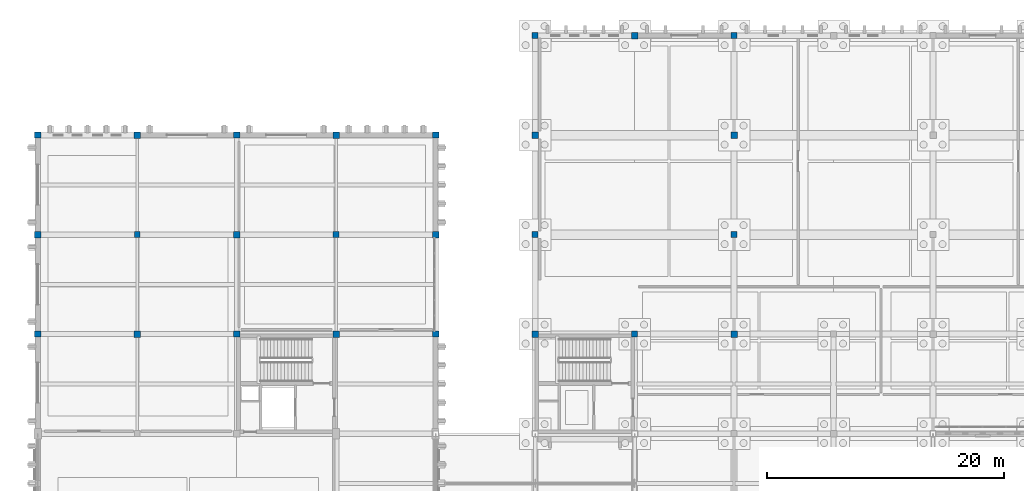
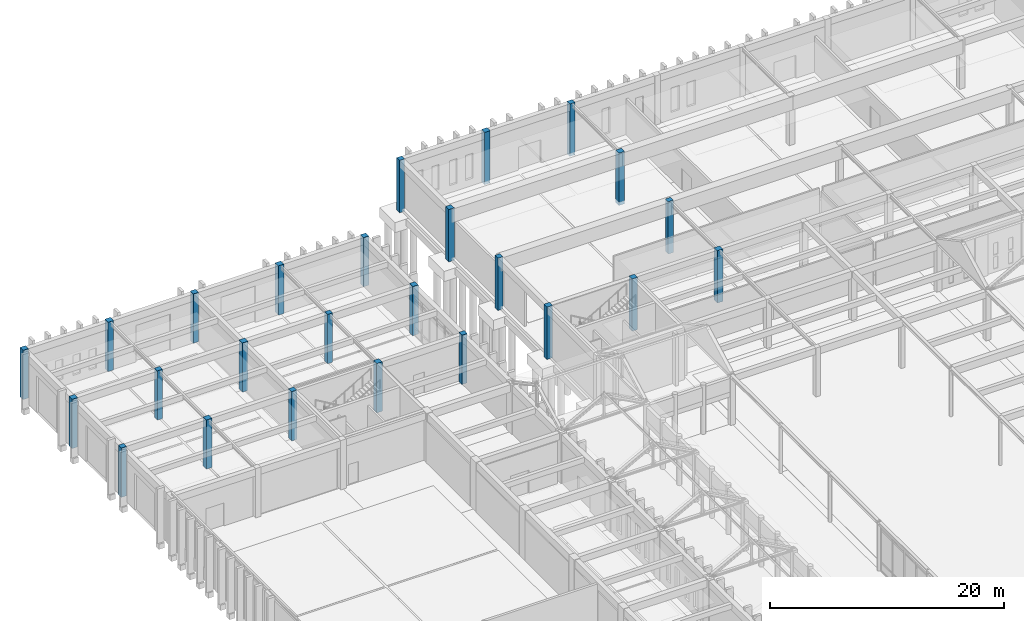
# One storey, part 17 of 143: 25 columns.
"""IFC4 building model written with IfcOpenShell, lengths in metres."""

from ifc_helpers import new_model, si_unit, direction, frame, origin, origin_2d, place, context, subcontext, project, spatial, rectangle, extrude, material, material_profile, profile_set, type_object, element, save


model = new_model("IFC4")

# Units and contexts
model_context = context("Model", 3, precision=1e-05, world=origin(), true_north=direction((0.0, 1.0)))
body_context = subcontext(model_context, "Body", "Model", "MODEL_VIEW")
ifc_project = project(units=[si_unit("LENGTHUNIT", "METRE"), si_unit("AREAUNIT", "SQUARE_METRE"), si_unit("VOLUMEUNIT", "CUBIC_METRE"), si_unit("PLANEANGLEUNIT", "RADIAN"), si_unit("MASSUNIT", "GRAM", prefix="KILO")], contexts=[model_context])

# Site, building, storey
site_placement = place(None, origin())
site = spatial("IfcSite", under=ifc_project, at=site_placement, CompositionType="ELEMENT")
building_placement = place(site_placement, origin())
building = spatial("IfcBuilding", under=site, at=building_placement, Name="Kveldsbrygga Polytechnic", CompositionType="ELEMENT")
storey_placement = place(building_placement, origin())
storey = spatial("IfcBuildingStorey", under=building, at=storey_placement, Name="L00", CompositionType="ELEMENT", Elevation=0.0)

# Columns
ifc_material = material(Name="Concrete C45/55", Category="concrete")
ifc_material_profile_1 = material_profile(ifc_material, rectangle(XDim=0.5, YDim=0.5, at=origin_2d()), Name="RC 500x500")
ifc_profile_set_1 = profile_set([ifc_material_profile_1], Name="Concrete C45/55")
column_type_1 = type_object("IfcColumnType", Name="COL-RC-500", PredefinedType="COLUMN", material=ifc_profile_set_1)
for number, where, z_axis, x_axis, name in (
    (1, (8.39990234375, 100.800048828125, 0.0), (0.0, 0.0, 1.0), (1.0, 0.0, 0.0), "Column COL-L00-01-12"),
    (2, (25.199951171875, 100.800048828125, 0.0), (0.0, 0.0, 1.0), (1.0, 0.0, 0.0), "Column COL-L00-03-12"),
):
    element("IfcColumn", number, at=place(storey_placement, frame(where, z_axis=z_axis, x_axis=x_axis)), inside=storey, type_object=column_type_1, Name=name, PredefinedType="COLUMN", context=body_context, shape_type="SweptSolid", body=[
        extrude(rectangle(XDim=0.5, YDim=0.5, at=origin_2d()), origin(), (0.0, 0.0, 1.0), 5.139892578125),
    ])
for number, where, z_axis, x_axis, name in (
    (3, (42.0, 100.800048828125, -0.320068359375), (0.0, 0.0, 1.0), (1.0, 0.0, 0.0), "Column COL-L00-05-12"),
    (4, (42.0, 117.60009765625, -0.320068359375), (0.0, 0.0, 1.0), (1.0, 0.0, 0.0), "Column COL-L00-05-14"),
    (5, (58.800048828125, 100.800048828125, -0.320068359375), (0.0, 0.0, 1.0), (1.0, 0.0, 0.0), "Column COL-L00-07-12"),
    (6, (58.800048828125, 117.60009765625, -0.320068359375), (0.0, 0.0, 1.0), (1.0, 0.0, 0.0), "Column COL-L00-07-14"),
):
    element("IfcColumn", number, at=place(storey_placement, frame(where, z_axis=z_axis, x_axis=x_axis)), inside=storey, type_object=column_type_1, Name=name, PredefinedType="COLUMN", context=body_context, shape_type="SweptSolid", body=[
        extrude(rectangle(XDim=0.5, YDim=0.5, at=origin_2d()), origin(), (0.0, 0.0, 1.0), 5.4599609375),
    ])
ifc_material_profile_2 = material_profile(ifc_material, rectangle(XDim=0.52001953125, YDim=0.52001953125, at=origin_2d()), Name="RC 520x520")
ifc_profile_set_2 = profile_set([ifc_material_profile_2], Name="Concrete C45/55")
column_type_2 = type_object("IfcColumnType", Name="COL-RC-520", PredefinedType="COLUMN", material=ifc_profile_set_2)
for number, where, z_axis, x_axis, name in (
    (7, (0.0, 92.39990234375, 0.0), (0.0, 0.0, 1.0), (1.0, 0.0, 0.0), "Column COL-L00-00-11"),
    (8, (0.0, 109.199951171875, 0.0), (0.0, 0.0, 1.0), (1.0, 0.0, 0.0), "Column COL-L00-00-13"),
    (9, (16.800048828125, 92.39990234375, 0.0), (0.0, 0.0, 1.0), (1.0, 0.0, 0.0), "Column COL-L00-02-11"),
    (10, (16.800048828125, 109.199951171875, 0.0), (0.0, 0.0, 1.0), (1.0, 0.0, 0.0), "Column COL-L00-02-13"),
    (11, (33.60009765625, 92.39990234375, 0.0), (0.0, 0.0, 1.0), (1.0, 0.0, 0.0), "Column COL-L00-04-11"),
    (12, (33.60009765625, 109.199951171875, 0.0), (0.0, 0.0, 1.0), (1.0, 0.0, 0.0), "Column COL-L00-04-13"),
):
    element("IfcColumn", number, at=place(storey_placement, frame(where, z_axis=z_axis, x_axis=x_axis)), inside=storey, type_object=column_type_2, Name=name, PredefinedType="COLUMN", context=body_context, shape_type="SweptSolid", body=[
        extrude(rectangle(XDim=0.52001953125, YDim=0.52001953125, at=origin_2d()), origin(), (0.0, 0.0, 1.0), 5.139892578125),
    ])
column_placement = place(storey_placement, frame((50.39990234375, 92.39990234375, -0.320068359375), z_axis=(0.0, 0.0, 1.0), x_axis=(1.0, 0.0, 0.0)))
element("IfcColumn", 13, at=column_placement, inside=storey, type_object=column_type_2, Name="Column COL-L00-06-11", PredefinedType="COLUMN", context=body_context, shape_type="SweptSolid", body=[
    extrude(rectangle(XDim=0.52001953125, YDim=0.52001953125, at=origin_2d()), origin(), (0.0, 0.0, 1.0), 5.4599609375),
])
ifc_material_profile_3 = material_profile(ifc_material, rectangle(XDim=0.550048828125, YDim=0.550048828125, at=origin_2d()), Name="RC 550x550")
ifc_profile_set_3 = profile_set([ifc_material_profile_3], Name="Concrete C45/55")
column_type_3 = type_object("IfcColumnType", Name="COL-RC-550", PredefinedType="COLUMN", material=ifc_profile_set_3)
for number, where, z_axis, x_axis, name in (
    (14, (0.0, 100.800048828125, 0.0), (0.0, 0.0, 1.0), (1.0, 0.0, 0.0), "Column COL-L00-00-12"),
    (15, (8.39990234375, 92.39990234375, 0.0), (0.0, 0.0, 1.0), (1.0, 0.0, 0.0), "Column COL-L00-01-11"),
    (16, (8.39990234375, 109.199951171875, 0.0), (0.0, 0.0, 1.0), (1.0, 0.0, 0.0), "Column COL-L00-01-13"),
    (17, (16.800048828125, 100.800048828125, 0.0), (0.0, 0.0, 1.0), (1.0, 0.0, 0.0), "Column COL-L00-02-12"),
    (18, (25.199951171875, 92.39990234375, 0.0), (0.0, 0.0, 1.0), (1.0, 0.0, 0.0), "Column COL-L00-03-11"),
    (19, (25.199951171875, 109.199951171875, 0.0), (0.0, 0.0, 1.0), (1.0, 0.0, 0.0), "Column COL-L00-03-13"),
    (20, (33.60009765625, 100.800048828125, 0.0), (0.0, 0.0, 1.0), (1.0, 0.0, 0.0), "Column COL-L00-04-12"),
):
    element("IfcColumn", number, at=place(storey_placement, frame(where, z_axis=z_axis, x_axis=x_axis)), inside=storey, type_object=column_type_3, Name=name, PredefinedType="COLUMN", context=body_context, shape_type="SweptSolid", body=[
        extrude(rectangle(XDim=0.550048828125, YDim=0.550048828125, at=origin_2d()), origin(), (0.0, 0.0, 1.0), 5.139892578125),
    ])
for number, where, z_axis, x_axis, name in (
    (21, (42.0, 92.39990234375, -0.320068359375), (0.0, 0.0, 1.0), (1.0, 0.0, 0.0), "Column COL-L00-05-11"),
    (22, (42.0, 109.199951171875, -0.320068359375), (0.0, 0.0, 1.0), (1.0, 0.0, 0.0), "Column COL-L00-05-13"),
    (23, (50.39990234375, 117.60009765625, -0.320068359375), (0.0, 0.0, 1.0), (1.0, 0.0, 0.0), "Column COL-L00-06-14"),
    (24, (58.800048828125, 92.39990234375, -0.320068359375), (0.0, 0.0, 1.0), (1.0, 0.0, 0.0), "Column COL-L00-07-11"),
    (25, (58.800048828125, 109.199951171875, -0.320068359375), (0.0, 0.0, 1.0), (1.0, 0.0, 0.0), "Column COL-L00-07-13"),
):
    element("IfcColumn", number, at=place(storey_placement, frame(where, z_axis=z_axis, x_axis=x_axis)), inside=storey, type_object=column_type_3, Name=name, PredefinedType="COLUMN", context=body_context, shape_type="SweptSolid", body=[
        extrude(rectangle(XDim=0.550048828125, YDim=0.550048828125, at=origin_2d()), origin(), (0.0, 0.0, 1.0), 5.4599609375),
    ])

save(model, "model.ifc")
